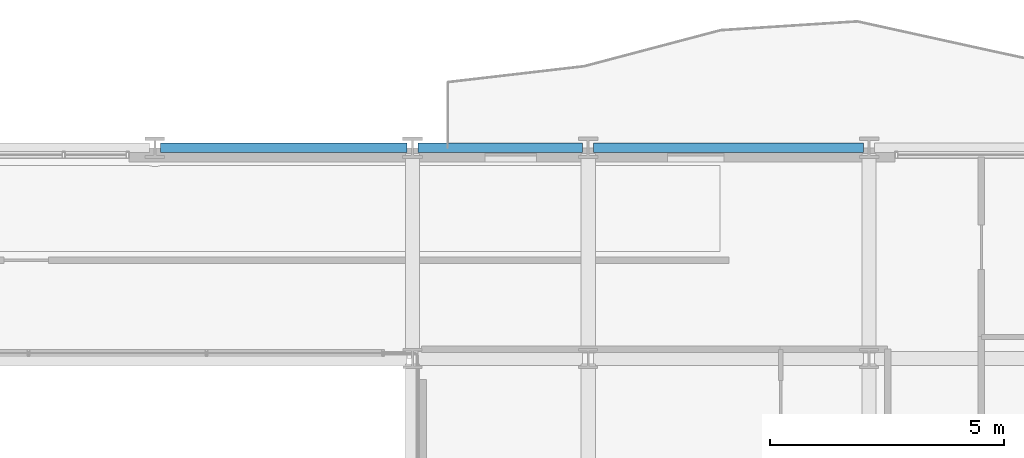
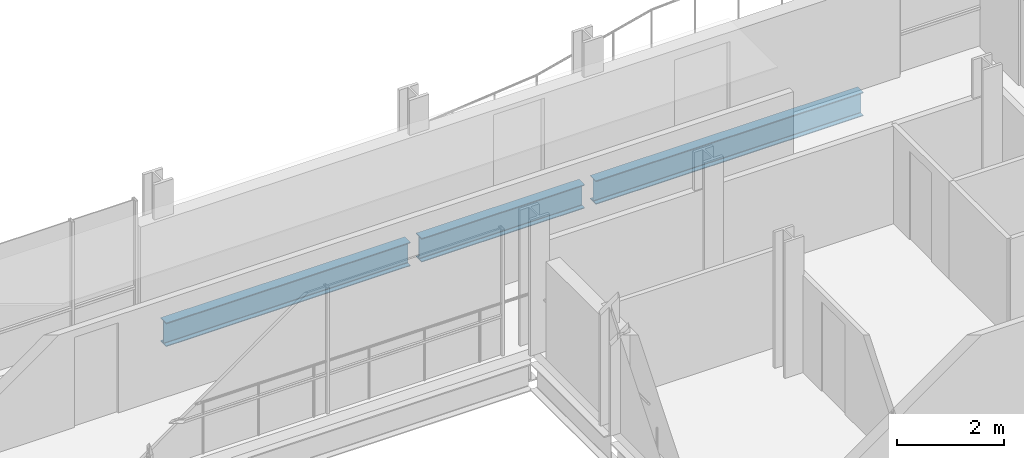
# One storey, part 23 of 40: 3 beams.
"""IFC4 building model written with IfcOpenShell, lengths in metres."""

from ifc_helpers import new_model, si_unit, direction, frame, origin, origin_2d, place, context, subcontext, project, spatial, i_section, extrude, material, material_profile, profile_set, type_object, element, save


model = new_model("IFC4")

# Units and contexts
model_context = context("Model", 3, precision=1e-05, world=origin(), true_north=direction((0.0, 1.0)))
body_context = subcontext(model_context, "Body", "Model", "MODEL_VIEW")
ifc_project = project(units=[si_unit("LENGTHUNIT", "METRE"), si_unit("AREAUNIT", "SQUARE_METRE"), si_unit("VOLUMEUNIT", "CUBIC_METRE"), si_unit("PLANEANGLEUNIT", "RADIAN"), si_unit("MASSUNIT", "GRAM", prefix="KILO")], contexts=[model_context])

# Site, building, storey
site_placement = place(None, origin())
site = spatial("IfcSite", under=ifc_project, at=site_placement, CompositionType="ELEMENT")
building_placement = place(site_placement, origin())
building = spatial("IfcBuilding", under=site, at=building_placement, Name="Brevholm Reach", CompositionType="ELEMENT")
storey_placement = place(building_placement, frame((0.0, 0.0, 62.10009765625)))
storey = spatial("IfcBuildingStorey", under=building, at=storey_placement, Name="L17", CompositionType="ELEMENT", Elevation=62.10009765625)

# Beams
ifc_material = material(Name="Structural Steel S355J2", Category="steel")
ifc_material_profile = material_profile(ifc_material, i_section(OverallWidth=0.210693359375, OverallDepth=0.53955078125, WebThickness=0.01171875, FlangeThickness=0.018798828125, FilletRadius=0.0126953125, at=origin_2d()), Name="UKB 533x210x109")
ifc_profile_set = profile_set([ifc_material_profile], Name="Structural Steel S355J2")
beam_type = type_object("IfcBeamType", Name="BM-SP539", PredefinedType="SPANDREL", material=ifc_profile_set)
beam_1_placement = place(storey_placement, frame((32.8701171875, 31.0, -0.499755859375), z_axis=(1.0, 0.0, 0.0), x_axis=(0.0, 1.0, 0.0)))
element("IfcBeam", 1, at=beam_1_placement, inside=storey, type_object=beam_type, Name="L17 SP-01B Framing Beam", PredefinedType="SPANDREL", context=body_context, shape_type="SweptSolid", body=[
    extrude(i_section(OverallWidth=0.210693359375, OverallDepth=0.53955078125, WebThickness=0.01171875, FlangeThickness=0.018798828125, FilletRadius=0.0126953125, at=origin_2d()), origin(), (0.0, 0.0, 1.0), 5.259765625),
])
beam_2_placement = place(storey_placement, frame((38.3701171875, 31.0, -0.499755859375), z_axis=(1.0, 0.0, 0.0), x_axis=(0.0, 1.0, 0.0)))
element("IfcBeam", 2, at=beam_2_placement, inside=storey, type_object=beam_type, Name="L17 SP-01B Framing Beam", PredefinedType="SPANDREL", context=body_context, shape_type="SweptSolid", body=[
    extrude(i_section(OverallWidth=0.210693359375, OverallDepth=0.53955078125, WebThickness=0.01171875, FlangeThickness=0.018798828125, FilletRadius=0.0126953125, at=origin_2d()), origin(), (0.0, 0.0, 1.0), 3.509765625),
])
beam_3_placement = place(storey_placement, frame((42.1201171875, 31.0, -0.499755859375), z_axis=(1.0, 0.0, 0.0), x_axis=(0.0, 1.0, 0.0)))
element("IfcBeam", 3, at=beam_3_placement, inside=storey, type_object=beam_type, Name="L17 SP-01B Framing Beam", PredefinedType="SPANDREL", context=body_context, shape_type="SweptSolid", body=[
    extrude(i_section(OverallWidth=0.210693359375, OverallDepth=0.53955078125, WebThickness=0.01171875, FlangeThickness=0.018798828125, FilletRadius=0.0126953125, at=origin_2d()), origin(), (0.0, 0.0, 1.0), 5.759765625),
])

save(model, "model.ifc")
